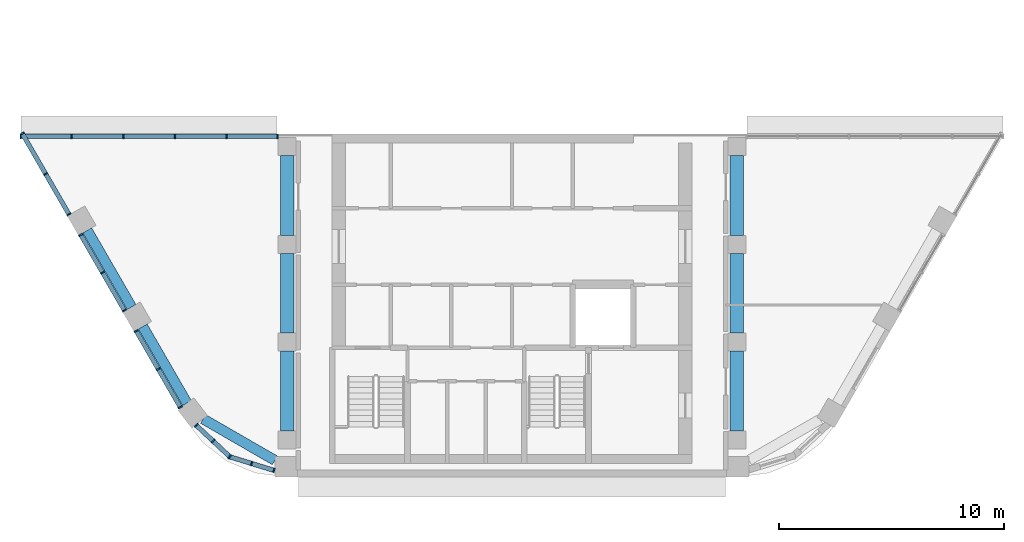
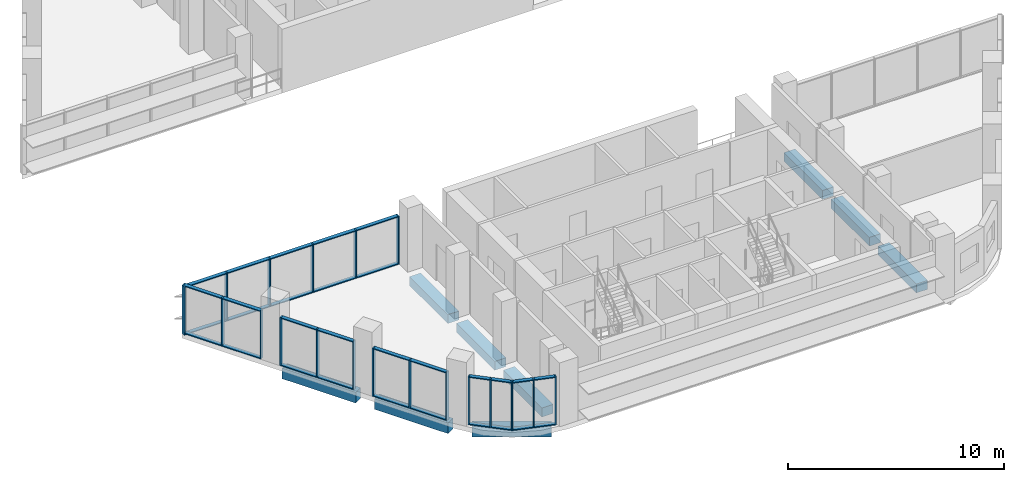
# One storey, part 2 of 14: 51 members, 9 beams, 6 elements without a shape of their own.
"""IFC4 building model written with IfcOpenShell, lengths in metres."""

from ifc_helpers import new_model, si_unit, direction, frame, origin, origin_2d, place, context, subcontext, project, spatial, rectangle, extrude, material, layer, layer_set, material_profile, profile_set, type_object, element, aggregate, save


model = new_model("IFC4")

# Units and contexts
model_context = context("Model", 3, precision=1e-05, world=origin(), true_north=direction((0.0, 1.0)))
body_context = subcontext(model_context, "Body", "Model", "MODEL_VIEW")
ifc_project = project(units=[si_unit("LENGTHUNIT", "METRE"), si_unit("AREAUNIT", "SQUARE_METRE"), si_unit("VOLUMEUNIT", "CUBIC_METRE"), si_unit("PLANEANGLEUNIT", "RADIAN"), si_unit("MASSUNIT", "GRAM", prefix="KILO")], contexts=[model_context])

# Site, building, storey
site_placement = place(None, origin())
site = spatial("IfcSite", under=ifc_project, at=site_placement, CompositionType="ELEMENT")
building_placement = place(site_placement, origin())
building = spatial("IfcBuilding", under=site, at=building_placement, Name="Nakaniwa Court", CompositionType="ELEMENT")
storey_placement = place(building_placement, frame((0.0, 0.0, 279.60009765625)))
storey = spatial("IfcBuildingStorey", under=building, at=storey_placement, Name="C03", CompositionType="ELEMENT", Elevation=279.60009765625)

# Beams
ifc_material_1 = material(Name="Concrete C80/100", Category="concrete")
ifc_material_profile_1 = material_profile(ifc_material_1, rectangle(XDim=0.449951171875, YDim=0.60009765625, at=origin_2d()), Name="Concrete C80/100 RC 450x600 spandrel beam")
ifc_profile_set_1 = profile_set([ifc_material_profile_1], Name="Concrete C80/100")
beam_type_1 = type_object("IfcBeamType", Name="Concrete C80/100 RC 450x600 spandrel beam", PredefinedType="BEAM", material=ifc_profile_set_1)
beam_1_placement = place(storey_placement, frame((61.110595703125, 68.3173828125, -0.5751953125), z_axis=(0.500021313302, -0.866013098194, 0.0), x_axis=(0.866013098194, 0.500021313302, 0.0)))
element("IfcBeam", 1, at=beam_1_placement, inside=storey, type_object=beam_type_1, Name="SPANDREL BEAM", PredefinedType="BEAM", context=body_context, shape_type="SweptSolid", body=[
    extrude(rectangle(XDim=0.449951171875, YDim=0.60009765625, at=origin_2d()), origin(), (0.0, 0.0, 1.0), 3.936279296875),
])
beam_2_placement = place(storey_placement, frame((63.578857421875, 64.04248046875, -0.5751953125), z_axis=(0.499958946799, -0.866049104564, 0.0), x_axis=(0.866049104564, 0.499958946799, 0.0)))
element("IfcBeam", 2, at=beam_2_placement, inside=storey, type_object=beam_type_1, Name="SPANDREL BEAM", PredefinedType="BEAM", context=body_context, shape_type="SweptSolid", body=[
    extrude(rectangle(XDim=0.449951171875, YDim=0.60009765625, at=origin_2d()), origin(), (0.0, 0.0, 1.0), 3.931884765625),
])
beam_3_placement = place(storey_placement, frame((66.265625, 59.929931640625, -0.5751953125), z_axis=(0.866006720078, -0.500032359733, 0.0), x_axis=(0.500032359733, 0.866006720078, 0.0)))
element("IfcBeam", 3, at=beam_3_placement, inside=storey, type_object=beam_type_1, Name="SPANDREL BEAM", PredefinedType="BEAM", context=body_context, shape_type="SweptSolid", body=[
    extrude(rectangle(XDim=0.449951171875, YDim=0.60009765625, at=origin_2d()), origin(), (0.0, 0.0, 1.0), 3.682373046875),
])
ifc_material_profile_2 = material_profile(ifc_material_1, rectangle(XDim=0.60009765625, YDim=0.5, at=origin_2d()), Name="Concrete C80/100 RC 600x500 ring beam")
ifc_profile_set_2 = profile_set([ifc_material_profile_2], Name="Concrete C80/100")
beam_type_2 = type_object("IfcBeamType", Name="Concrete C80/100 RC 600x500 ring beam", PredefinedType="BEAM", material=ifc_profile_set_2)
for number, where, z_axis, x_axis, name in (
    (4, (90.0, 59.39990234375, -0.525146484375), (0.0, 1.0, 0.0), (-1.0, 0.0, 0.0), "RING BEAM"),
    (5, (90.0, 63.75, -0.525146484375), (0.0, 1.0, 0.0), (-1.0, 0.0, 0.0), "RING BEAM"),
):
    element("IfcBeam", number, at=place(storey_placement, frame(where, z_axis=z_axis, x_axis=x_axis)), inside=storey, type_object=beam_type_2, Name=name, PredefinedType="BEAM", context=body_context, shape_type="SweptSolid", body=[
        extrude(rectangle(XDim=0.60009765625, YDim=0.5, at=origin_2d()), origin(), (0.0, 0.0, 1.0), 3.550048828125),
    ])
for number, where, z_axis, x_axis, name in (
    (6, (90.0, 68.10009765625, -0.525146484375), (0.0, 1.0, 0.0), (-1.0, 0.0, 0.0), "RING BEAM"),
    (7, (70.0, 71.64990234375, -0.525146484375), (0.0, -1.0, 0.0), (1.0, 0.0, 0.0), "RING BEAM"),
):
    element("IfcBeam", number, at=place(storey_placement, frame(where, z_axis=z_axis, x_axis=x_axis)), inside=storey, type_object=beam_type_2, Name=name, PredefinedType="BEAM", context=body_context, shape_type="SweptSolid", body=[
        extrude(rectangle(XDim=0.60009765625, YDim=0.5, at=origin_2d()), origin(), (0.0, 0.0, 1.0), 3.5498046875),
    ])
for number, where, z_axis, x_axis, name in (
    (8, (70.0, 67.300048828125, -0.525146484375), (0.0, -1.0, 0.0), (1.0, 0.0, 0.0), "RING BEAM"),
    (9, (70.0, 62.949951171875, -0.525146484375), (0.0, -1.0, 0.0), (1.0, 0.0, 0.0), "RING BEAM"),
):
    element("IfcBeam", number, at=place(storey_placement, frame(where, z_axis=z_axis, x_axis=x_axis)), inside=storey, type_object=beam_type_2, Name=name, PredefinedType="BEAM", context=body_context, shape_type="SweptSolid", body=[
        extrude(rectangle(XDim=0.60009765625, YDim=0.5, at=origin_2d()), origin(), (0.0, 0.0, 1.0), 3.550048828125),
    ])

# Curtain wall, members
ifc_material_2 = material(Name="Black anodised aluminium frame with dark low-E laminated double glazing", Category="aluminium")
ifc_layer = layer(ifc_material_2, 0.199951171875)
ifc_layer_set = layer_set([ifc_layer], Name="Black anodised aluminium frame with dark low-E laminated double glazing")
curtain_wall_type = type_object("IfcCurtainWallType", Name="Crown curtain wall", PredefinedType="NOTDEFINED", material=ifc_layer_set)
curtain_wall_1_placement = place(storey_placement, origin())
curtain_wall_1 = element("IfcCurtainWall", 10, at=curtain_wall_1_placement, inside=storey, type_object=curtain_wall_type, Name="C03 curtain wall CW4 04", PredefinedType="NOTDEFINED")
ifc_material_3 = material(Name="Black anodised aluminium extrusion", Category="aluminium")
ifc_material_profile_3 = material_profile(ifc_material_3, rectangle(XDim=0.199951171875, YDim=0.06494140625, at=origin_2d()), Name="Crown curtain wall mullion 65x200")
ifc_profile_set_3 = profile_set([ifc_material_profile_3], Name="Black anodised aluminium extrusion")
member_type_1 = type_object("IfcMemberType", Name="Crown curtain wall mullion 65x200", PredefinedType="MULLION", material=ifc_profile_set_3)
member_1_placement = place(storey_placement, frame((69.571533203125, 72.5, 0.0), z_axis=(0.0, 0.0, 1.0), x_axis=(0.0, -1.0, 0.0)))
member_1 = element("IfcMember", 11, at=member_1_placement, type_object=member_type_1, Name="CW4 mullion 1", PredefinedType="MULLION", context=body_context, shape_type="SweptSolid", body=[
    extrude(rectangle(XDim=0.199951171875, YDim=0.06494140625, at=origin_2d()), origin(), (0.0, 0.0, 1.0), 2.724853515625),
])
member_2_placement = place(storey_placement, frame((67.306884765625, 72.5, 0.0), z_axis=(0.0, 0.0, 1.0), x_axis=(0.0, -1.0, 0.0)))
member_2 = element("IfcMember", 12, at=member_2_placement, type_object=member_type_1, Name="CW4 mullion 2", PredefinedType="MULLION", context=body_context, shape_type="SweptSolid", body=[
    extrude(rectangle(XDim=0.199951171875, YDim=0.06494140625, at=origin_2d()), origin(), (0.0, 0.0, 1.0), 2.724853515625),
])
member_3_placement = place(storey_placement, frame((65.009765625, 72.5, 0.0), z_axis=(0.0, 0.0, 1.0), x_axis=(0.0, -1.0, 0.0)))
member_3 = element("IfcMember", 13, at=member_3_placement, type_object=member_type_1, Name="CW4 mullion 3", PredefinedType="MULLION", context=body_context, shape_type="SweptSolid", body=[
    extrude(rectangle(XDim=0.199951171875, YDim=0.06494140625, at=origin_2d()), origin(), (0.0, 0.0, 1.0), 2.724853515625),
])
member_4_placement = place(storey_placement, frame((62.712646484375, 72.5, 0.0), z_axis=(0.0, 0.0, 1.0), x_axis=(0.0, -1.0, 0.0)))
member_4 = element("IfcMember", 14, at=member_4_placement, type_object=member_type_1, Name="CW4 mullion 4", PredefinedType="MULLION", context=body_context, shape_type="SweptSolid", body=[
    extrude(rectangle(XDim=0.199951171875, YDim=0.06494140625, at=origin_2d()), origin(), (0.0, 0.0, 1.0), 2.724853515625),
])
member_5_placement = place(storey_placement, frame((60.41552734375, 72.5, 0.0), z_axis=(0.0, 0.0, 1.0), x_axis=(0.0, -1.0, 0.0)))
member_5 = element("IfcMember", 15, at=member_5_placement, type_object=member_type_1, Name="CW4 mullion 5", PredefinedType="MULLION", context=body_context, shape_type="SweptSolid", body=[
    extrude(rectangle(XDim=0.199951171875, YDim=0.06494140625, at=origin_2d()), origin(), (0.0, 0.0, 1.0), 2.724853515625),
])
member_6_placement = place(storey_placement, frame((58.15087890625, 72.5, 0.0), z_axis=(0.0, 0.0, 1.0), x_axis=(0.0, -1.0, 0.0)))
member_6 = element("IfcMember", 16, at=member_6_placement, type_object=member_type_1, Name="CW4 mullion 6", PredefinedType="MULLION", context=body_context, shape_type="SweptSolid", body=[
    extrude(rectangle(XDim=0.199951171875, YDim=0.06494140625, at=origin_2d()), origin(), (0.0, 0.0, 1.0), 2.724853515625),
])

curtain_wall_2_placement = place(storey_placement, origin())
curtain_wall_2 = element("IfcCurtainWall", 17, at=curtain_wall_2_placement, inside=storey, type_object=curtain_wall_type, Name="C03 curtain wall CW4 05", PredefinedType="NOTDEFINED")
member_7_placement = place(storey_placement, frame((58.22119140625, 72.621826171875, 0.0), z_axis=(0.0, 0.0, 1.0), x_axis=(0.866021000852, 0.500007626024, 0.0)))
member_7 = element("IfcMember", 18, at=member_7_placement, type_object=member_type_1, Name="CW4 mullion 1", PredefinedType="MULLION", context=body_context, shape_type="SweptSolid", body=[
    extrude(rectangle(XDim=0.199951171875, YDim=0.06494140625, at=origin_2d()), origin(), (0.0, 0.0, 1.0), 2.724853515625),
])
member_8_placement = place(storey_placement, frame((59.25732421875, 70.827392578125, 0.0), z_axis=(0.0, 0.0, 1.0), x_axis=(0.866021000852, 0.500007626024, 0.0)))
member_8 = element("IfcMember", 19, at=member_8_placement, type_object=member_type_1, Name="CW4 mullion 2", PredefinedType="MULLION", context=body_context, shape_type="SweptSolid", body=[
    extrude(rectangle(XDim=0.199951171875, YDim=0.06494140625, at=origin_2d()), origin(), (0.0, 0.0, 1.0), 2.724853515625),
])
member_9_placement = place(storey_placement, frame((60.29345703125, 69.032958984375, 0.0), z_axis=(0.0, 0.0, 1.0), x_axis=(0.866021000852, 0.500007626024, 0.0)))
member_9 = element("IfcMember", 20, at=member_9_placement, type_object=member_type_1, Name="CW4 mullion 3", PredefinedType="MULLION", context=body_context, shape_type="SweptSolid", body=[
    extrude(rectangle(XDim=0.199951171875, YDim=0.06494140625, at=origin_2d()), origin(), (0.0, 0.0, 1.0), 2.724853515625),
])

curtain_wall_3_placement = place(storey_placement, origin())
curtain_wall_3 = element("IfcCurtainWall", 21, at=curtain_wall_3_placement, inside=storey, type_object=curtain_wall_type, Name="C03 curtain wall CW4 06", PredefinedType="NOTDEFINED")
member_10_placement = place(storey_placement, frame((60.82177734375, 68.11767578125, 0.0), z_axis=(0.0, 0.0, 1.0), x_axis=(0.866033174523, 0.499986540445, 0.0)))
member_10 = element("IfcMember", 22, at=member_10_placement, type_object=member_type_1, Name="CW4 mullion 1", PredefinedType="MULLION", context=body_context, shape_type="SweptSolid", body=[
    extrude(rectangle(XDim=0.199951171875, YDim=0.06494140625, at=origin_2d()), origin(), (0.0, 0.0, 1.0), 2.724853515625),
])
member_11_placement = place(storey_placement, frame((61.791748046875, 66.437744140625, 0.0), z_axis=(0.0, 0.0, 1.0), x_axis=(0.866033174523, 0.499986540445, 0.0)))
member_11 = element("IfcMember", 23, at=member_11_placement, type_object=member_type_1, Name="CW4 mullion 2", PredefinedType="MULLION", context=body_context, shape_type="SweptSolid", body=[
    extrude(rectangle(XDim=0.199951171875, YDim=0.06494140625, at=origin_2d()), origin(), (0.0, 0.0, 1.0), 2.724853515625),
])
member_12_placement = place(storey_placement, frame((62.761474609375, 64.758056640625, 0.0), z_axis=(0.0, 0.0, 1.0), x_axis=(0.866033174523, 0.499986540445, 0.0)))
member_12 = element("IfcMember", 24, at=member_12_placement, type_object=member_type_1, Name="CW4 mullion 3", PredefinedType="MULLION", context=body_context, shape_type="SweptSolid", body=[
    extrude(rectangle(XDim=0.199951171875, YDim=0.06494140625, at=origin_2d()), origin(), (0.0, 0.0, 1.0), 2.724853515625),
])

curtain_wall_4_placement = place(storey_placement, origin())
curtain_wall_4 = element("IfcCurtainWall", 25, at=curtain_wall_4_placement, inside=storey, type_object=curtain_wall_type, Name="C03 curtain wall CW4 07", PredefinedType="NOTDEFINED")
member_13_placement = place(storey_placement, frame((63.2900390625, 63.8427734375, 0.0), z_axis=(0.0, 0.0, 1.0), x_axis=(0.866027822975, 0.499995809815, 0.0)))
member_13 = element("IfcMember", 26, at=member_13_placement, type_object=member_type_1, Name="CW4 mullion 1", PredefinedType="MULLION", context=body_context, shape_type="SweptSolid", body=[
    extrude(rectangle(XDim=0.199951171875, YDim=0.06494140625, at=origin_2d()), origin(), (0.0, 0.0, 1.0), 2.724853515625),
])
member_14_placement = place(storey_placement, frame((64.2685546875, 62.147705078125, 0.0), z_axis=(0.0, 0.0, 1.0), x_axis=(0.866027822975, 0.499995809815, 0.0)))
member_14 = element("IfcMember", 27, at=member_14_placement, type_object=member_type_1, Name="CW4 mullion 2", PredefinedType="MULLION", context=body_context, shape_type="SweptSolid", body=[
    extrude(rectangle(XDim=0.199951171875, YDim=0.06494140625, at=origin_2d()), origin(), (0.0, 0.0, 1.0), 2.724853515625),
])
member_15_placement = place(storey_placement, frame((65.2470703125, 60.45263671875, 0.0), z_axis=(0.0, 0.0, 1.0), x_axis=(0.866027822975, 0.499995809815, 0.0)))
member_15 = element("IfcMember", 28, at=member_15_placement, type_object=member_type_1, Name="CW4 mullion 3", PredefinedType="MULLION", context=body_context, shape_type="SweptSolid", body=[
    extrude(rectangle(XDim=0.199951171875, YDim=0.06494140625, at=origin_2d()), origin(), (0.0, 0.0, 1.0), 2.724853515625),
])

curtain_wall_5_placement = place(storey_placement, origin())
curtain_wall_5 = element("IfcCurtainWall", 29, at=curtain_wall_5_placement, inside=storey, type_object=curtain_wall_type, Name="C03 curtain wall CW4 08", PredefinedType="NOTDEFINED")
member_16_placement = place(storey_placement, frame((65.959228515625, 59.649169921875, 0.0), z_axis=(0.0, 0.0, 1.0), x_axis=(0.684182155809, 0.729311166562, 0.0)))
member_16 = element("IfcMember", 30, at=member_16_placement, type_object=member_type_1, Name="CW4 mullion 1", PredefinedType="MULLION", context=body_context, shape_type="SweptSolid", body=[
    extrude(rectangle(XDim=0.199951171875, YDim=0.06494140625, at=origin_2d()), origin(), (0.0, 0.0, 1.0), 2.724853515625),
])
member_17_placement = place(storey_placement, frame((66.71044921875, 58.9443359375, 0.0), z_axis=(0.0, 0.0, 1.0), x_axis=(0.684182155809, 0.729311166562, 0.0)))
member_17 = element("IfcMember", 31, at=member_17_placement, type_object=member_type_1, Name="CW4 mullion 2", PredefinedType="MULLION", context=body_context, shape_type="SweptSolid", body=[
    extrude(rectangle(XDim=0.199951171875, YDim=0.06494140625, at=origin_2d()), origin(), (0.0, 0.0, 1.0), 2.724853515625),
])
member_18_placement = place(storey_placement, frame((67.461669921875, 58.23974609375, 0.0), z_axis=(0.0, 0.0, 1.0), x_axis=(0.684182155809, 0.729311166562, 0.0)))
member_18 = element("IfcMember", 32, at=member_18_placement, type_object=member_type_1, Name="CW4 mullion 3", PredefinedType="MULLION", context=body_context, shape_type="SweptSolid", body=[
    extrude(rectangle(XDim=0.199951171875, YDim=0.06494140625, at=origin_2d()), origin(), (0.0, 0.0, 1.0), 2.724853515625),
])

curtain_wall_6_placement = place(storey_placement, origin())
curtain_wall_6 = element("IfcCurtainWall", 33, at=curtain_wall_6_placement, inside=storey, type_object=curtain_wall_type, Name="C03 curtain wall CW4 09", PredefinedType="NOTDEFINED")
member_19_placement = place(storey_placement, frame((67.42333984375, 58.255615234375, 0.0), z_axis=(0.0, 0.0, 1.0), x_axis=(0.293506245143, 0.955957155976, 0.0)))
member_19 = element("IfcMember", 34, at=member_19_placement, type_object=member_type_1, Name="CW4 mullion 1", PredefinedType="MULLION", context=body_context, shape_type="SweptSolid", body=[
    extrude(rectangle(XDim=0.199951171875, YDim=0.06494140625, at=origin_2d()), origin(), (0.0, 0.0, 1.0), 2.724853515625),
])
member_20_placement = place(storey_placement, frame((68.41796875, 57.9501953125, 0.0), z_axis=(0.0, 0.0, 1.0), x_axis=(0.293506245143, 0.955957155976, 0.0)))
member_20 = element("IfcMember", 35, at=member_20_placement, type_object=member_type_1, Name="CW4 mullion 2", PredefinedType="MULLION", context=body_context, shape_type="SweptSolid", body=[
    extrude(rectangle(XDim=0.199951171875, YDim=0.06494140625, at=origin_2d()), origin(), (0.0, 0.0, 1.0), 2.724853515625),
])
member_21_placement = place(storey_placement, frame((69.412841796875, 57.644775390625, 0.0), z_axis=(0.0, 0.0, 1.0), x_axis=(0.293506245143, 0.955957155976, 0.0)))
member_21 = element("IfcMember", 36, at=member_21_placement, type_object=member_type_1, Name="CW4 mullion 3", PredefinedType="MULLION", context=body_context, shape_type="SweptSolid", body=[
    extrude(rectangle(XDim=0.199951171875, YDim=0.06494140625, at=origin_2d()), origin(), (0.0, 0.0, 1.0), 2.724853515625),
])

# Member
ifc_material_profile_4 = material_profile(ifc_material_3, rectangle(XDim=0.199951171875, YDim=0.054931640625, at=origin_2d()), Name="Crown curtain wall transom 55x200")
ifc_profile_set_4 = profile_set([ifc_material_profile_4], Name="Black anodised aluminium extrusion")
member_type_2 = type_object("IfcMemberType", Name="Crown curtain wall transom 55x200", PredefinedType="USERDEFINED", material=ifc_profile_set_4)
member_22_placement = place(storey_placement, frame((69.5390625, 72.5, 0.02734375), z_axis=(-1.0, 0.0, 0.0), x_axis=(0.0, -1.0, 0.0)))
member_22 = element("IfcMember", 37, at=member_22_placement, type_object=member_type_2, Name="CW4 transom 1.1", ObjectType="TRANSOM", PredefinedType="USERDEFINED", context=body_context, shape_type="SweptSolid", body=[
    extrude(rectangle(XDim=0.199951171875, YDim=0.054931640625, at=origin_2d()), origin(), (0.0, 0.0, 1.0), 2.19970703125),
])

member_23_placement = place(storey_placement, frame((69.5390625, 72.5, 2.697509765625), z_axis=(-1.0, 0.0, 0.0), x_axis=(0.0, -1.0, 0.0)))
member_23 = element("IfcMember", 38, at=member_23_placement, type_object=member_type_2, Name="CW4 transom 1.2", ObjectType="TRANSOM", PredefinedType="USERDEFINED", context=body_context, shape_type="SweptSolid", body=[
    extrude(rectangle(XDim=0.199951171875, YDim=0.054931640625, at=origin_2d()), origin(), (0.0, 0.0, 1.0), 2.19970703125),
])

member_24_placement = place(storey_placement, frame((67.2744140625, 72.5, 0.02734375), z_axis=(-1.0, 0.0, 0.0), x_axis=(0.0, -1.0, 0.0)))
member_24 = element("IfcMember", 39, at=member_24_placement, type_object=member_type_2, Name="CW4 transom 2.1", ObjectType="TRANSOM", PredefinedType="USERDEFINED", context=body_context, shape_type="SweptSolid", body=[
    extrude(rectangle(XDim=0.199951171875, YDim=0.054931640625, at=origin_2d()), origin(), (0.0, 0.0, 1.0), 2.232177734375),
])

member_25_placement = place(storey_placement, frame((67.2744140625, 72.5, 2.697509765625), z_axis=(-1.0, 0.0, 0.0), x_axis=(0.0, -1.0, 0.0)))
member_25 = element("IfcMember", 40, at=member_25_placement, type_object=member_type_2, Name="CW4 transom 2.2", ObjectType="TRANSOM", PredefinedType="USERDEFINED", context=body_context, shape_type="SweptSolid", body=[
    extrude(rectangle(XDim=0.199951171875, YDim=0.054931640625, at=origin_2d()), origin(), (0.0, 0.0, 1.0), 2.232177734375),
])

member_26_placement = place(storey_placement, frame((64.977294921875, 72.5, 0.02734375), z_axis=(-1.0, 0.0, 0.0), x_axis=(0.0, -1.0, 0.0)))
member_26 = element("IfcMember", 41, at=member_26_placement, type_object=member_type_2, Name="CW4 transom 3.1", ObjectType="TRANSOM", PredefinedType="USERDEFINED", context=body_context, shape_type="SweptSolid", body=[
    extrude(rectangle(XDim=0.199951171875, YDim=0.054931640625, at=origin_2d()), origin(), (0.0, 0.0, 1.0), 2.232177734375),
])

member_27_placement = place(storey_placement, frame((64.977294921875, 72.5, 2.697509765625), z_axis=(-1.0, 0.0, 0.0), x_axis=(0.0, -1.0, 0.0)))
member_27 = element("IfcMember", 42, at=member_27_placement, type_object=member_type_2, Name="CW4 transom 3.2", ObjectType="TRANSOM", PredefinedType="USERDEFINED", context=body_context, shape_type="SweptSolid", body=[
    extrude(rectangle(XDim=0.199951171875, YDim=0.054931640625, at=origin_2d()), origin(), (0.0, 0.0, 1.0), 2.232177734375),
])

member_28_placement = place(storey_placement, frame((62.68017578125, 72.5, 0.02734375), z_axis=(-1.0, 0.0, 0.0), x_axis=(0.0, -1.0, 0.0)))
member_28 = element("IfcMember", 43, at=member_28_placement, type_object=member_type_2, Name="CW4 transom 4.1", ObjectType="TRANSOM", PredefinedType="USERDEFINED", context=body_context, shape_type="SweptSolid", body=[
    extrude(rectangle(XDim=0.199951171875, YDim=0.054931640625, at=origin_2d()), origin(), (0.0, 0.0, 1.0), 2.232177734375),
])

member_29_placement = place(storey_placement, frame((62.68017578125, 72.5, 2.697509765625), z_axis=(-1.0, 0.0, 0.0), x_axis=(0.0, -1.0, 0.0)))
member_29 = element("IfcMember", 44, at=member_29_placement, type_object=member_type_2, Name="CW4 transom 4.2", ObjectType="TRANSOM", PredefinedType="USERDEFINED", context=body_context, shape_type="SweptSolid", body=[
    extrude(rectangle(XDim=0.199951171875, YDim=0.054931640625, at=origin_2d()), origin(), (0.0, 0.0, 1.0), 2.232177734375),
])

member_30_placement = place(storey_placement, frame((60.383056640625, 72.5, 0.02734375), z_axis=(-1.0, 0.0, 0.0), x_axis=(0.0, -1.0, 0.0)))
member_30 = element("IfcMember", 45, at=member_30_placement, type_object=member_type_2, Name="CW4 transom 5.1", ObjectType="TRANSOM", PredefinedType="USERDEFINED", context=body_context, shape_type="SweptSolid", body=[
    extrude(rectangle(XDim=0.199951171875, YDim=0.054931640625, at=origin_2d()), origin(), (0.0, 0.0, 1.0), 2.19970703125),
])

member_31_placement = place(storey_placement, frame((60.383056640625, 72.5, 2.697509765625), z_axis=(-1.0, 0.0, 0.0), x_axis=(0.0, -1.0, 0.0)))
member_31 = element("IfcMember", 46, at=member_31_placement, type_object=member_type_2, Name="CW4 transom 5.2", ObjectType="TRANSOM", PredefinedType="USERDEFINED", context=body_context, shape_type="SweptSolid", body=[
    extrude(rectangle(XDim=0.199951171875, YDim=0.054931640625, at=origin_2d()), origin(), (0.0, 0.0, 1.0), 2.19970703125),
])

aggregate(curtain_wall_1, [member_1, member_2, member_3, member_4, member_5, member_6, member_22, member_23, member_24, member_25, member_26, member_27, member_28, member_29, member_30, member_31])

member_32_placement = place(storey_placement, frame((58.237548828125, 72.59375, 0.02734375), z_axis=(0.499933044277, -0.866064057238, 0.0), x_axis=(0.866064057238, 0.499933044277, 0.0)))
member_32 = element("IfcMember", 47, at=member_32_placement, type_object=member_type_2, Name="CW4 transom 1.1", ObjectType="TRANSOM", PredefinedType="USERDEFINED", context=body_context, shape_type="SweptSolid", body=[
    extrude(rectangle(XDim=0.199951171875, YDim=0.054931640625, at=origin_2d()), origin(), (0.0, 0.0, 1.0), 2.007080078125),
])

member_33_placement = place(storey_placement, frame((58.237548828125, 72.59375, 2.697509765625), z_axis=(0.499933044277, -0.866064057238, 0.0), x_axis=(0.866064057238, 0.499933044277, 0.0)))
member_33 = element("IfcMember", 48, at=member_33_placement, type_object=member_type_2, Name="CW4 transom 1.2", ObjectType="TRANSOM", PredefinedType="USERDEFINED", context=body_context, shape_type="SweptSolid", body=[
    extrude(rectangle(XDim=0.199951171875, YDim=0.054931640625, at=origin_2d()), origin(), (0.0, 0.0, 1.0), 2.007080078125),
])

member_34_placement = place(storey_placement, frame((59.2734375, 70.79931640625, 0.02734375), z_axis=(0.500024272756, -0.866011389449, 0.0), x_axis=(0.866011389449, 0.500024272756, 0.0)))
member_34 = element("IfcMember", 49, at=member_34_placement, type_object=member_type_2, Name="CW4 transom 2.1", ObjectType="TRANSOM", PredefinedType="USERDEFINED", context=body_context, shape_type="SweptSolid", body=[
    extrude(rectangle(XDim=0.199951171875, YDim=0.054931640625, at=origin_2d()), origin(), (0.0, 0.0, 1.0), 2.00732421875),
])

member_35_placement = place(storey_placement, frame((59.2734375, 70.79931640625, 2.697509765625), z_axis=(0.500024272756, -0.866011389449, 0.0), x_axis=(0.866011389449, 0.500024272756, 0.0)))
member_35 = element("IfcMember", 50, at=member_35_placement, type_object=member_type_2, Name="CW4 transom 2.2", ObjectType="TRANSOM", PredefinedType="USERDEFINED", context=body_context, shape_type="SweptSolid", body=[
    extrude(rectangle(XDim=0.199951171875, YDim=0.054931640625, at=origin_2d()), origin(), (0.0, 0.0, 1.0), 2.00732421875),
])

aggregate(curtain_wall_2, [member_7, member_8, member_9, member_32, member_33, member_34, member_35])

member_36_placement = place(storey_placement, frame((60.838134765625, 68.089599609375, 0.02734375), z_axis=(0.499962952589, -0.86604679206, 0.0), x_axis=(0.86604679206, 0.499962952589, 0.0)))
member_36 = element("IfcMember", 51, at=member_36_placement, type_object=member_type_2, Name="CW4 transom 1.1", ObjectType="TRANSOM", PredefinedType="USERDEFINED", context=body_context, shape_type="SweptSolid", body=[
    extrude(rectangle(XDim=0.199951171875, YDim=0.054931640625, at=origin_2d()), origin(), (0.0, 0.0, 1.0), 1.874755859375),
])

member_37_placement = place(storey_placement, frame((60.838134765625, 68.089599609375, 2.697509765625), z_axis=(0.499962952589, -0.86604679206, 0.0), x_axis=(0.86604679206, 0.499962952589, 0.0)))
member_37 = element("IfcMember", 52, at=member_37_placement, type_object=member_type_2, Name="CW4 transom 1.2", ObjectType="TRANSOM", PredefinedType="USERDEFINED", context=body_context, shape_type="SweptSolid", body=[
    extrude(rectangle(XDim=0.199951171875, YDim=0.054931640625, at=origin_2d()), origin(), (0.0, 0.0, 1.0), 1.874755859375),
])

member_38_placement = place(storey_placement, frame((61.807861328125, 66.40966796875, 0.02734375), z_axis=(0.499962952589, -0.86604679206, 0.0), x_axis=(0.86604679206, 0.499962952589, 0.0)))
member_38 = element("IfcMember", 53, at=member_38_placement, type_object=member_type_2, Name="CW4 transom 2.1", ObjectType="TRANSOM", PredefinedType="USERDEFINED", context=body_context, shape_type="SweptSolid", body=[
    extrude(rectangle(XDim=0.199951171875, YDim=0.054931640625, at=origin_2d()), origin(), (0.0, 0.0, 1.0), 1.874755859375),
])

member_39_placement = place(storey_placement, frame((61.807861328125, 66.40966796875, 2.697509765625), z_axis=(0.499962952589, -0.86604679206, 0.0), x_axis=(0.86604679206, 0.499962952589, 0.0)))
member_39 = element("IfcMember", 54, at=member_39_placement, type_object=member_type_2, Name="CW4 transom 2.2", ObjectType="TRANSOM", PredefinedType="USERDEFINED", context=body_context, shape_type="SweptSolid", body=[
    extrude(rectangle(XDim=0.199951171875, YDim=0.054931640625, at=origin_2d()), origin(), (0.0, 0.0, 1.0), 1.874755859375),
])

aggregate(curtain_wall_3, [member_10, member_11, member_12, member_36, member_37, member_38, member_39])

member_40_placement = place(storey_placement, frame((63.30615234375, 63.814697265625, 0.02734375), z_axis=(0.499927200086, -0.866067430755, 0.0), x_axis=(0.866067430755, 0.499927200086, 0.0)))
member_40 = element("IfcMember", 55, at=member_40_placement, type_object=member_type_2, Name="CW4 transom 1.1", ObjectType="TRANSOM", PredefinedType="USERDEFINED", context=body_context, shape_type="SweptSolid", body=[
    extrude(rectangle(XDim=0.199951171875, YDim=0.054931640625, at=origin_2d()), origin(), (0.0, 0.0, 1.0), 1.892333984375),
])

member_41_placement = place(storey_placement, frame((63.30615234375, 63.814697265625, 2.697509765625), z_axis=(0.499927200086, -0.866067430755, 0.0), x_axis=(0.866067430755, 0.499927200086, 0.0)))
member_41 = element("IfcMember", 56, at=member_41_placement, type_object=member_type_2, Name="CW4 transom 1.2", ObjectType="TRANSOM", PredefinedType="USERDEFINED", context=body_context, shape_type="SweptSolid", body=[
    extrude(rectangle(XDim=0.199951171875, YDim=0.054931640625, at=origin_2d()), origin(), (0.0, 0.0, 1.0), 1.892333984375),
])

member_42_placement = place(storey_placement, frame((64.284912109375, 62.11962890625, 0.02734375), z_axis=(0.499983064336, -0.866035181374, 0.0), x_axis=(0.866035181374, 0.499983064336, 0.0)))
member_42 = element("IfcMember", 57, at=member_42_placement, type_object=member_type_2, Name="CW4 transom 2.1", ObjectType="TRANSOM", PredefinedType="USERDEFINED", context=body_context, shape_type="SweptSolid", body=[
    extrude(rectangle(XDim=0.199951171875, YDim=0.054931640625, at=origin_2d()), origin(), (0.0, 0.0, 1.0), 1.89208984375),
])

member_43_placement = place(storey_placement, frame((64.284912109375, 62.11962890625, 2.697509765625), z_axis=(0.499983064336, -0.866035181374, 0.0), x_axis=(0.866035181374, 0.499983064336, 0.0)))
member_43 = element("IfcMember", 58, at=member_43_placement, type_object=member_type_2, Name="CW4 transom 2.2", ObjectType="TRANSOM", PredefinedType="USERDEFINED", context=body_context, shape_type="SweptSolid", body=[
    extrude(rectangle(XDim=0.199951171875, YDim=0.054931640625, at=origin_2d()), origin(), (0.0, 0.0, 1.0), 1.89208984375),
])

aggregate(curtain_wall_4, [member_13, member_14, member_15, member_40, member_41, member_42, member_43])

member_44_placement = place(storey_placement, frame((65.98291015625, 59.626953125, 0.02734375), z_axis=(0.72938728258, -0.684101010093, 0.0), x_axis=(0.684101010093, 0.72938728258, 0.0)))
member_44 = element("IfcMember", 59, at=member_44_placement, type_object=member_type_2, Name="CW4 transom 1.1", ObjectType="TRANSOM", PredefinedType="USERDEFINED", context=body_context, shape_type="SweptSolid", body=[
    extrude(rectangle(XDim=0.199951171875, YDim=0.054931640625, at=origin_2d()), origin(), (0.0, 0.0, 1.0), 0.965087890625),
])

member_45_placement = place(storey_placement, frame((65.98291015625, 59.626953125, 2.697509765625), z_axis=(0.72938728258, -0.684101010093, 0.0), x_axis=(0.684101010093, 0.72938728258, 0.0)))
member_45 = element("IfcMember", 60, at=member_45_placement, type_object=member_type_2, Name="CW4 transom 1.2", ObjectType="TRANSOM", PredefinedType="USERDEFINED", context=body_context, shape_type="SweptSolid", body=[
    extrude(rectangle(XDim=0.199951171875, YDim=0.054931640625, at=origin_2d()), origin(), (0.0, 0.0, 1.0), 0.965087890625),
])

member_46_placement = place(storey_placement, frame((66.734130859375, 58.922119140625, 0.02734375), z_axis=(0.72938728258, -0.684101010093, 0.0), x_axis=(0.684101010093, 0.72938728258, 0.0)))
member_46 = element("IfcMember", 61, at=member_46_placement, type_object=member_type_2, Name="CW4 transom 2.1", ObjectType="TRANSOM", PredefinedType="USERDEFINED", context=body_context, shape_type="SweptSolid", body=[
    extrude(rectangle(XDim=0.199951171875, YDim=0.054931640625, at=origin_2d()), origin(), (0.0, 0.0, 1.0), 0.965087890625),
])

member_47_placement = place(storey_placement, frame((66.734130859375, 58.922119140625, 2.697509765625), z_axis=(0.72938728258, -0.684101010093, 0.0), x_axis=(0.684101010093, 0.72938728258, 0.0)))
member_47 = element("IfcMember", 62, at=member_47_placement, type_object=member_type_2, Name="CW4 transom 2.2", ObjectType="TRANSOM", PredefinedType="USERDEFINED", context=body_context, shape_type="SweptSolid", body=[
    extrude(rectangle(XDim=0.199951171875, YDim=0.054931640625, at=origin_2d()), origin(), (0.0, 0.0, 1.0), 0.965087890625),
])

aggregate(curtain_wall_5, [member_16, member_17, member_18, member_44, member_45, member_46, member_47])

member_48_placement = place(storey_placement, frame((67.454345703125, 58.24609375, 0.02734375), z_axis=(0.955946586921, -0.293540666612, 0.0), x_axis=(0.293540666612, 0.955946586921, 0.0)))
member_48 = element("IfcMember", 63, at=member_48_placement, type_object=member_type_2, Name="CW4 transom 1.1", ObjectType="TRANSOM", PredefinedType="USERDEFINED", context=body_context, shape_type="SweptSolid", body=[
    extrude(rectangle(XDim=0.199951171875, YDim=0.054931640625, at=origin_2d()), origin(), (0.0, 0.0, 1.0), 0.9755859375),
])

member_49_placement = place(storey_placement, frame((67.454345703125, 58.24609375, 2.697509765625), z_axis=(0.955946586921, -0.293540666612, 0.0), x_axis=(0.293540666612, 0.955946586921, 0.0)))
member_49 = element("IfcMember", 64, at=member_49_placement, type_object=member_type_2, Name="CW4 transom 1.2", ObjectType="TRANSOM", PredefinedType="USERDEFINED", context=body_context, shape_type="SweptSolid", body=[
    extrude(rectangle(XDim=0.199951171875, YDim=0.054931640625, at=origin_2d()), origin(), (0.0, 0.0, 1.0), 0.9755859375),
])

member_50_placement = place(storey_placement, frame((68.448974609375, 57.940673828125, 0.02734375), z_axis=(0.955946586921, -0.293540666612, 0.0), x_axis=(0.293540666612, 0.955946586921, 0.0)))
member_50 = element("IfcMember", 65, at=member_50_placement, type_object=member_type_2, Name="CW4 transom 2.1", ObjectType="TRANSOM", PredefinedType="USERDEFINED", context=body_context, shape_type="SweptSolid", body=[
    extrude(rectangle(XDim=0.199951171875, YDim=0.054931640625, at=origin_2d()), origin(), (0.0, 0.0, 1.0), 0.9755859375),
])

member_51_placement = place(storey_placement, frame((68.448974609375, 57.940673828125, 2.697509765625), z_axis=(0.955946586921, -0.293540666612, 0.0), x_axis=(0.293540666612, 0.955946586921, 0.0)))
member_51 = element("IfcMember", 66, at=member_51_placement, type_object=member_type_2, Name="CW4 transom 2.2", ObjectType="TRANSOM", PredefinedType="USERDEFINED", context=body_context, shape_type="SweptSolid", body=[
    extrude(rectangle(XDim=0.199951171875, YDim=0.054931640625, at=origin_2d()), origin(), (0.0, 0.0, 1.0), 0.9755859375),
])

aggregate(curtain_wall_6, [member_19, member_20, member_21, member_48, member_49, member_50, member_51])

save(model, "model.ifc")
